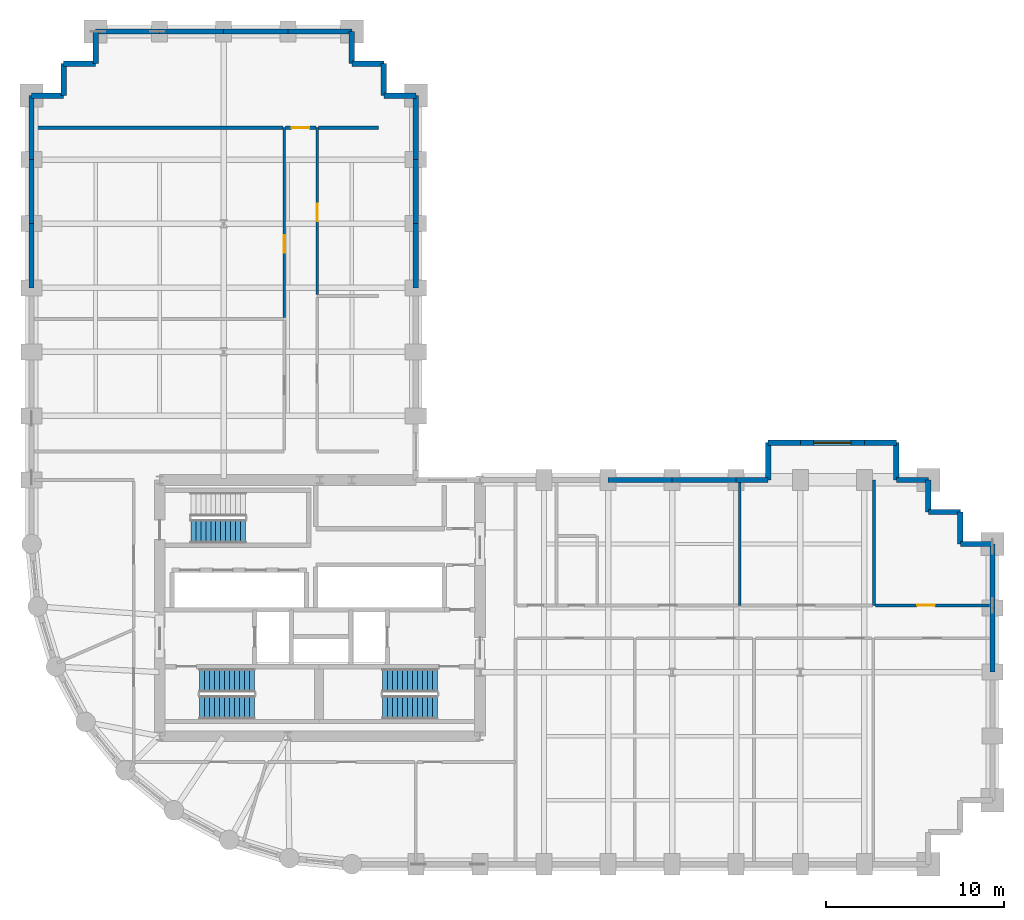
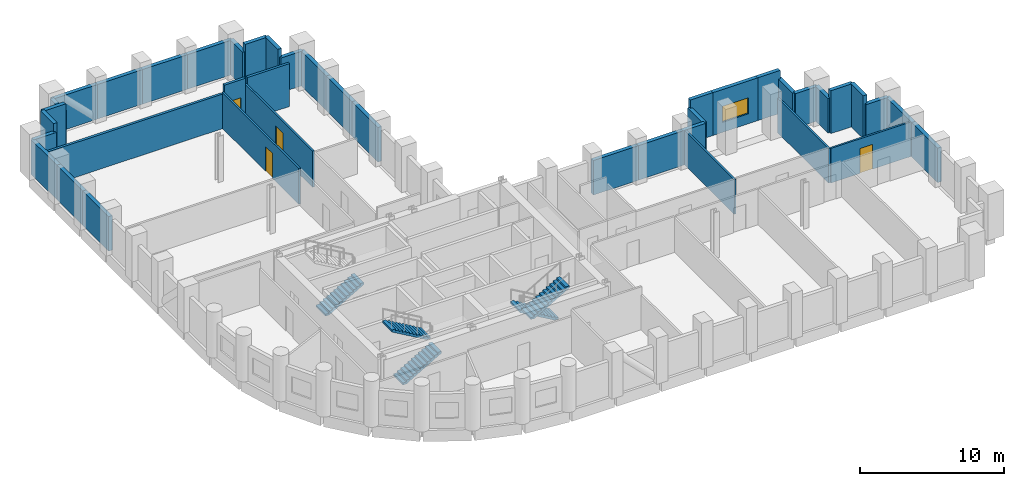
# One storey, part 6 of 8: 41 walls, 5 stair flights, 4 doors, 1 window, 5 openings, 3 elements without a shape of their own.
"""IFC4 building model written with IfcOpenShell, lengths in metres."""

from ifc_helpers import new_model, si_unit, direction, frame, frame_2d, origin, place, context, subcontext, project, spatial, polyline, rectangle, outline, extrude, material, layer, layer_set, type_object, element, fill, aggregate, save


model = new_model("IFC4")

# Units and contexts
model_context = context("Model", 3, precision=1e-05, world=origin(), true_north=direction((0.0, 1.0)))
body_context = subcontext(model_context, "Body", "Model", "MODEL_VIEW")
ifc_project = project(units=[si_unit("LENGTHUNIT", "METRE"), si_unit("AREAUNIT", "SQUARE_METRE"), si_unit("VOLUMEUNIT", "CUBIC_METRE"), si_unit("PLANEANGLEUNIT", "RADIAN"), si_unit("MASSUNIT", "GRAM", prefix="KILO")], contexts=[model_context])

# Site, building, storey
site_placement = place(None, origin())
site = spatial("IfcSite", under=ifc_project, at=site_placement, CompositionType="ELEMENT")
building_placement = place(site_placement, origin())
building = spatial("IfcBuilding", under=site, at=building_placement, Name="Solnavia Interchange Tower", CompositionType="ELEMENT")
storey_placement = place(building_placement, frame((0.0, 0.0, 35.699951171875)))
storey = spatial("IfcBuildingStorey", under=building, at=storey_placement, Name="L08", CompositionType="ELEMENT", Elevation=35.699951171875)

# Walls
ifc_material_1 = material(Name="Gypsum Acoustic Twin-Stud & Mineral Wool", Category="gypsum")
ifc_layer_1 = layer(ifc_material_1, 0.199951171875)
ifc_layer_set_1 = layer_set([ifc_layer_1], Name="Gypsum Acoustic Twin-Stud & Mineral Wool")
wall_type_1 = type_object("IfcWallType", Name="Wall-ApartmentParty-200", PredefinedType="PARTITIONING", material=ifc_layer_set_1)
wall_1_placement = place(storey_placement, frame((7.35400390625, 45.0, 0.0), z_axis=(0.0, 0.0, 1.0), x_axis=(1.0, 0.0, 0.0)))
element("IfcWall", 1, at=wall_1_placement, inside=storey, type_object=wall_type_1, Name="PTW-L08-38 Interior partition wall", PredefinedType="PARTITIONING", context=body_context, shape_type="SweptSolid", body=[
    extrude(rectangle(XDim=13.967041015625, YDim=0.199951171875, at=frame_2d((6.9833984375, 0.0))), origin(), (0.0, 0.0, 1.0), 2.929931640625),
])
wall_2_placement = place(storey_placement, frame((23.3291015625, 45.0, 0.0), z_axis=(0.0, 0.0, 1.0), x_axis=(1.0, 0.0, 0.0)))
element("IfcWall", 2, at=wall_2_placement, inside=storey, type_object=wall_type_1, Name="PTW-L08-39 Interior partition wall", PredefinedType="PARTITIONING", context=body_context, shape_type="SweptSolid", body=[
    extrude(rectangle(XDim=3.370849609375, YDim=0.199951171875, at=frame_2d((1.685546875, 0.0))), origin(), (0.0, 0.0, 1.0), 3.635009765625),
])

# Wall, opening, door
wall_3_placement = place(storey_placement, frame((21.47900390625, 45.0, 0.0), z_axis=(0.0, 0.0, 1.0), x_axis=(1.0, 0.0, 0.0)))
wall_3 = element("IfcWall", 3, at=wall_3_placement, inside=storey, type_object=wall_type_1, Name="PTW-L08-40 Interior partition wall", PredefinedType="PARTITIONING", context=body_context, shape_type="SweptSolid", body=[
    extrude(rectangle(XDim=1.69189453125, YDim=0.199951171875, at=frame_2d((0.845947265625, 0.0))), origin(), (0.0, 0.0, 1.0), 3.635009765625),
])
opening_1_placement = place(wall_3_placement, frame((0.339111328125, 0.0, 0.0)))
opening_1 = element("IfcOpeningElement", 4, at=opening_1_placement, cuts=wall_3, Name="Opening DR-06", PredefinedType="OPENING", context=body_context, shape_type="SweptSolid", body=[
    extrude(rectangle(XDim=1.0, YDim=2.10009765625, at=frame_2d((0.5, 1.050048828125))), frame((0.0, 0.10986328125, 0.0), z_axis=(0.0, -1.0, 0.0), x_axis=(1.0, 0.0, 0.0)), (0.0, 0.0, 1.0), 0.219970703125),
])
ifc_material_2 = material(Name="Engineered Timber Acoustic Fire Door", Category="wood")
door_type_1 = type_object("IfcDoorType", Name="Door-FlatEntry-1000x2100", OperationType="SINGLE_SWING_LEFT", PredefinedType="DOOR", material=ifc_material_2)
door_1_placement = place(opening_1_placement, origin())
door_1 = element("IfcDoor", 5, at=door_1_placement, inside=storey, type_object=door_type_1, Name="DR-L08-19 Interior room door", OperationType="SINGLE_SWING_LEFT", OverallHeight=2.10009765625, OverallWidth=1.0, PredefinedType="DOOR", context=body_context, shape_type="SweptSolid", body=[
    extrude(rectangle(XDim=1.0, YDim=2.10009765625, at=frame_2d((0.5, 1.050048828125))), frame((0.0, 0.02490234375, 0.0), z_axis=(0.0, -1.0, 0.0), x_axis=(1.0, 0.0, 0.0)), (0.0, 0.0, 1.0), 0.050048828125),
])
fill(opening_1, door_1)

# Walls
ifc_material_3 = material(Name="Concrete C40/50", Category="concrete")
ifc_layer_2 = layer(ifc_material_3, 0.300048828125)
ifc_layer_set_2 = layer_set([ifc_layer_2], Name="Concrete C40/50")
wall_type_2 = type_object("IfcWallType", Name="Wall-ExtSpandrel-300", PredefinedType="STANDARD", material=ifc_layer_set_2)
for number, where, z_axis, x_axis, name in (
    (6, (61.199951171875, 18.0, 0.0), (0.0, 0.0, 1.0), (0.0, -1.0, 0.0), "EXW-L08-16 Exterior precast spandrel wall"),
    (7, (61.199951171875, 21.60009765625, 0.0), (0.0, 0.0, 1.0), (0.0, -1.0, 0.0), "EXW-L08-17 Exterior precast spandrel wall"),
):
    element("IfcWall", number, at=place(storey_placement, frame(where, z_axis=z_axis, x_axis=x_axis)), inside=storey, type_object=wall_type_2, Name=name, PredefinedType="STANDARD", context=body_context, shape_type="SweptSolid", body=[
        extrude(rectangle(XDim=3.60009765625, YDim=0.300048828125, at=frame_2d((1.800048828125, 0.0))), origin(), (0.0, 0.0, 1.0), 2.929931640625),
    ])
wall_4_placement = place(storey_placement, frame((61.199951171875, 21.60009765625, 0.0), z_axis=(0.0, 0.0, 1.0), x_axis=(-1.0, 0.0, 0.0)))
element("IfcWall", 8, at=wall_4_placement, inside=storey, type_object=wall_type_2, Name="EXW-L08-18 Exterior precast spandrel wall", PredefinedType="STANDARD", context=body_context, shape_type="SweptSolid", body=[
    extrude(rectangle(XDim=1.800048828125, YDim=0.300048828125, at=frame_2d((0.89990234375, 0.0))), origin(), (0.0, 0.0, 1.0), 2.929931640625),
])
for number, where, z_axis, x_axis, name in (
    (9, (59.39990234375, 23.39990234375, 0.0), (0.0, 0.0, 1.0), (0.0, -1.0, 0.0), "EXW-L08-19 Exterior precast spandrel wall"),
    (10, (57.60009765625, 23.39990234375, 0.0), (0.0, 0.0, 1.0), (1.0, 0.0, 0.0), "EXW-L08-20 Exterior precast spandrel wall"),
):
    element("IfcWall", number, at=place(storey_placement, frame(where, z_axis=z_axis, x_axis=x_axis)), inside=storey, type_object=wall_type_2, Name=name, PredefinedType="STANDARD", context=body_context, shape_type="SweptSolid", body=[
        extrude(rectangle(XDim=1.7998046875, YDim=0.300048828125, at=frame_2d((0.89990234375, 0.0))), origin(), (0.0, 0.0, 1.0), 3.635009765625),
    ])
for number, where, z_axis, x_axis, name in (
    (11, (57.60009765625, 25.199951171875, 0.0), (0.0, 0.0, 1.0), (0.0, -1.0, 0.0), "EXW-L08-21 Exterior precast spandrel wall"),
    (12, (55.800048828125, 25.199951171875, 0.0), (0.0, 0.0, 1.0), (1.0, 0.0, 0.0), "EXW-L08-22 Exterior precast spandrel wall"),
):
    element("IfcWall", number, at=place(storey_placement, frame(where, z_axis=z_axis, x_axis=x_axis)), inside=storey, type_object=wall_type_2, Name=name, PredefinedType="STANDARD", context=body_context, shape_type="SweptSolid", body=[
        extrude(rectangle(XDim=1.800048828125, YDim=0.300048828125, at=frame_2d((0.89990234375, 0.0))), origin(), (0.0, 0.0, 1.0), 2.929931640625),
    ])
wall_5_placement = place(storey_placement, frame((55.800048828125, 27.300048828125, 0.0), z_axis=(0.0, 0.0, 1.0), x_axis=(0.0, -1.0, 0.0)))
element("IfcWall", 13, at=wall_5_placement, inside=storey, type_object=wall_type_2, Name="EXW-L08-23 Exterior precast spandrel wall", PredefinedType="STANDARD", context=body_context, shape_type="SweptSolid", body=[
    extrude(rectangle(XDim=2.10009765625, YDim=0.300048828125, at=frame_2d((1.050048828125, 0.0))), origin(), (0.0, 0.0, 1.0), 2.929931640625),
])
wall_6_placement = place(storey_placement, frame((54.0, 27.300048828125, 0.0), z_axis=(0.0, 0.0, 1.0), x_axis=(1.0, 0.0, 0.0)))
element("IfcWall", 14, at=wall_6_placement, inside=storey, type_object=wall_type_2, Name="EXW-L08-24 Exterior precast spandrel wall", PredefinedType="STANDARD", context=body_context, shape_type="SweptSolid", body=[
    extrude(rectangle(XDim=1.800048828125, YDim=0.300048828125, at=frame_2d((0.89990234375, 0.0))), origin(), (0.0, 0.0, 1.0), 3.635009765625),
])

# Wall, opening, window
wall_7_placement = place(storey_placement, frame((50.39990234375, 27.300048828125, 0.0), z_axis=(0.0, 0.0, 1.0), x_axis=(1.0, 0.0, 0.0)))
wall_7 = element("IfcWall", 15, at=wall_7_placement, inside=storey, type_object=wall_type_2, Name="EXW-L08-25 Exterior precast spandrel wall", PredefinedType="STANDARD", context=body_context, shape_type="SweptSolid", body=[
    extrude(rectangle(XDim=3.60009765625, YDim=0.300048828125, at=frame_2d((1.800048828125, 0.0))), origin(), (0.0, 0.0, 1.0), 3.635009765625),
])
opening_2_placement = place(wall_7_placement, frame((0.75, 0.0, 0.85009765625)))
opening_2 = element("IfcOpeningElement", 16, at=opening_2_placement, cuts=wall_7, Name="Opening WIN-01", PredefinedType="OPENING", context=body_context, shape_type="SweptSolid", body=[
    extrude(rectangle(XDim=2.10009765625, YDim=1.35009765625, at=frame_2d((1.050048828125, 0.675048828125))), frame((0.0, 0.16015625, 0.0), z_axis=(0.0, -1.0, 0.0), x_axis=(1.0, 0.0, 0.0)), (0.0, 0.0, 1.0), 0.320068359375),
])
ifc_material_4 = material(Name="Thermal-Break Aluminium & Low-E Glass", Category="aluminium")
window_type = type_object("IfcWindowType", Name="Window-Ribbon-2100x1350", PartitioningType="SINGLE_PANEL", PredefinedType="WINDOW", material=ifc_material_4)
window_placement = place(opening_2_placement, origin())
window = element("IfcWindow", 17, at=window_placement, inside=storey, type_object=window_type, Name="WIN-L08-25 Facade ribbon window", OverallHeight=1.35009765625, OverallWidth=2.10009765625, PartitioningType="SINGLE_PANEL", PredefinedType="WINDOW", context=body_context, shape_type="SweptSolid", body=[
    extrude(rectangle(XDim=2.10009765625, YDim=1.35009765625, at=frame_2d((1.050048828125, 0.675048828125))), frame((0.0, 0.030029296875, 0.0), z_axis=(0.0, -1.0, 0.0), x_axis=(1.0, 0.0, 0.0)), (0.0, 0.0, 1.0), 0.06005859375),
])
fill(opening_2, window)

# Walls
wall_8_placement = place(storey_placement, frame((48.60009765625, 27.300048828125, 0.0), z_axis=(0.0, 0.0, 1.0), x_axis=(1.0, 0.0, 0.0)))
element("IfcWall", 18, at=wall_8_placement, inside=storey, type_object=wall_type_2, Name="EXW-L08-26 Exterior precast spandrel wall", PredefinedType="STANDARD", context=body_context, shape_type="SweptSolid", body=[
    extrude(rectangle(XDim=1.7998046875, YDim=0.300048828125, at=frame_2d((0.89990234375, 0.0))), origin(), (0.0, 0.0, 1.0), 3.635009765625),
])
wall_9_placement = place(storey_placement, frame((48.60009765625, 27.300048828125, 0.0), z_axis=(0.0, 0.0, 1.0), x_axis=(0.0, -1.0, 0.0)))
element("IfcWall", 19, at=wall_9_placement, inside=storey, type_object=wall_type_2, Name="EXW-L08-27 Exterior precast spandrel wall", PredefinedType="STANDARD", context=body_context, shape_type="SweptSolid", body=[
    extrude(rectangle(XDim=2.10009765625, YDim=0.300048828125, at=frame_2d((1.050048828125, 0.0))), origin(), (0.0, 0.0, 1.0), 2.929931640625),
])
wall_10_placement = place(storey_placement, frame((46.800048828125, 25.199951171875, 0.0), z_axis=(0.0, 0.0, 1.0), x_axis=(1.0, 0.0, 0.0)))
element("IfcWall", 20, at=wall_10_placement, inside=storey, type_object=wall_type_2, Name="EXW-L08-28 Exterior precast spandrel wall", PredefinedType="STANDARD", context=body_context, shape_type="SweptSolid", body=[
    extrude(rectangle(XDim=1.800048828125, YDim=0.300048828125, at=frame_2d((0.89990234375, 0.0))), origin(), (0.0, 0.0, 1.0), 2.929931640625),
])
wall_11_placement = place(storey_placement, frame((43.199951171875, 25.199951171875, 0.0), z_axis=(0.0, 0.0, 1.0), x_axis=(1.0, 0.0, 0.0)))
element("IfcWall", 21, at=wall_11_placement, inside=storey, type_object=wall_type_2, Name="EXW-L08-29 Exterior precast spandrel wall", PredefinedType="STANDARD", context=body_context, shape_type="SweptSolid", body=[
    extrude(rectangle(XDim=3.60009765625, YDim=0.300048828125, at=frame_2d((1.800048828125, 0.0))), origin(), (0.0, 0.0, 1.0), 2.929931640625),
])
wall_12_placement = place(storey_placement, frame((39.60009765625, 25.199951171875, 0.0), z_axis=(0.0, 0.0, 1.0), x_axis=(1.0, 0.0, 0.0)))
element("IfcWall", 22, at=wall_12_placement, inside=storey, type_object=wall_type_2, Name="EXW-L08-30 Exterior precast spandrel wall", PredefinedType="STANDARD", context=body_context, shape_type="SweptSolid", body=[
    extrude(rectangle(XDim=3.599853515625, YDim=0.300048828125, at=frame_2d((1.7998046875, 0.0))), origin(), (0.0, 0.0, 1.0), 2.929931640625),
])
wall_13_placement = place(storey_placement, frame((28.800048828125, 36.0, 0.0), z_axis=(0.0, 0.0, 1.0), x_axis=(0.0, 1.0, 0.0)))
element("IfcWall", 23, at=wall_13_placement, inside=storey, type_object=wall_type_2, Name="EXW-L08-37 Exterior precast spandrel wall", PredefinedType="STANDARD", context=body_context, shape_type="SweptSolid", body=[
    extrude(rectangle(XDim=3.60009765625, YDim=0.300048828125, at=frame_2d((1.800048828125, 0.0))), origin(), (0.0, 0.0, 1.0), 2.929931640625),
])
wall_14_placement = place(storey_placement, frame((28.800048828125, 39.60009765625, 0.0), z_axis=(0.0, 0.0, 1.0), x_axis=(0.0, 1.0, 0.0)))
element("IfcWall", 24, at=wall_14_placement, inside=storey, type_object=wall_type_2, Name="EXW-L08-38 Exterior precast spandrel wall", PredefinedType="STANDARD", context=body_context, shape_type="SweptSolid", body=[
    extrude(rectangle(XDim=3.599853515625, YDim=0.300048828125, at=frame_2d((1.7998046875, 0.0))), origin(), (0.0, 0.0, 1.0), 2.929931640625),
])
wall_15_placement = place(storey_placement, frame((28.800048828125, 43.199951171875, 0.0), z_axis=(0.0, 0.0, 1.0), x_axis=(0.0, 1.0, 0.0)))
element("IfcWall", 25, at=wall_15_placement, inside=storey, type_object=wall_type_2, Name="EXW-L08-39 Exterior precast spandrel wall", PredefinedType="STANDARD", context=body_context, shape_type="SweptSolid", body=[
    extrude(rectangle(XDim=3.60009765625, YDim=0.300048828125, at=frame_2d((1.800048828125, 0.0))), origin(), (0.0, 0.0, 1.0), 2.929931640625),
])
wall_16_placement = place(storey_placement, frame((27.0, 46.800048828125, 0.0), z_axis=(0.0, 0.0, 1.0), x_axis=(1.0, 0.0, 0.0)))
element("IfcWall", 26, at=wall_16_placement, inside=storey, type_object=wall_type_2, Name="EXW-L08-40 Exterior precast spandrel wall", PredefinedType="STANDARD", context=body_context, shape_type="SweptSolid", body=[
    extrude(rectangle(XDim=1.800048828125, YDim=0.300048828125, at=frame_2d((0.89990234375, 0.0))), origin(), (0.0, 0.0, 1.0), 2.929931640625),
])
for number, where, z_axis, x_axis, name in (
    (27, (27.0, 46.800048828125, 0.0), (0.0, 0.0, 1.0), (0.0, 1.0, 0.0), "EXW-L08-41 Exterior precast spandrel wall"),
    (28, (25.199951171875, 48.60009765625, 0.0), (0.0, 0.0, 1.0), (1.0, 0.0, 0.0), "EXW-L08-42 Exterior precast spandrel wall"),
):
    element("IfcWall", number, at=place(storey_placement, frame(where, z_axis=z_axis, x_axis=x_axis)), inside=storey, type_object=wall_type_2, Name=name, PredefinedType="STANDARD", context=body_context, shape_type="SweptSolid", body=[
        extrude(rectangle(XDim=1.800048828125, YDim=0.300048828125, at=frame_2d((0.89990234375, 0.0))), origin(), (0.0, 0.0, 1.0), 3.635009765625),
    ])
wall_17_placement = place(storey_placement, frame((25.199951171875, 48.60009765625, 0.0), z_axis=(0.0, 0.0, 1.0), x_axis=(0.0, 1.0, 0.0)))
element("IfcWall", 29, at=wall_17_placement, inside=storey, type_object=wall_type_2, Name="EXW-L08-43 Exterior precast spandrel wall", PredefinedType="STANDARD", context=body_context, shape_type="SweptSolid", body=[
    extrude(rectangle(XDim=1.7998046875, YDim=0.300048828125, at=frame_2d((0.89990234375, 0.0))), origin(), (0.0, 0.0, 1.0), 2.929931640625),
])
wall_18_placement = place(storey_placement, frame((21.60009765625, 50.39990234375, 0.0), z_axis=(0.0, 0.0, 1.0), x_axis=(1.0, 0.0, 0.0)))
element("IfcWall", 30, at=wall_18_placement, inside=storey, type_object=wall_type_2, Name="EXW-L08-44 Exterior precast spandrel wall", PredefinedType="STANDARD", context=body_context, shape_type="SweptSolid", body=[
    extrude(rectangle(XDim=3.599853515625, YDim=0.300048828125, at=frame_2d((1.7998046875, 0.0))), origin(), (0.0, 0.0, 1.0), 2.929931640625),
])
for number, where, z_axis, x_axis, name in (
    (31, (18.0, 50.39990234375, 0.0), (0.0, 0.0, 1.0), (1.0, 0.0, 0.0), "EXW-L08-45 Exterior precast spandrel wall"),
    (32, (14.39990234375, 50.39990234375, 0.0), (0.0, 0.0, 1.0), (1.0, 0.0, 0.0), "EXW-L08-46 Exterior precast spandrel wall"),
):
    element("IfcWall", number, at=place(storey_placement, frame(where, z_axis=z_axis, x_axis=x_axis)), inside=storey, type_object=wall_type_2, Name=name, PredefinedType="STANDARD", context=body_context, shape_type="SweptSolid", body=[
        extrude(rectangle(XDim=3.60009765625, YDim=0.300048828125, at=frame_2d((1.800048828125, 0.0))), origin(), (0.0, 0.0, 1.0), 2.929931640625),
    ])
wall_19_placement = place(storey_placement, frame((10.800048828125, 50.39990234375, 0.0), z_axis=(0.0, 0.0, 1.0), x_axis=(1.0, 0.0, 0.0)))
element("IfcWall", 33, at=wall_19_placement, inside=storey, type_object=wall_type_2, Name="EXW-L08-47 Exterior precast spandrel wall", PredefinedType="STANDARD", context=body_context, shape_type="SweptSolid", body=[
    extrude(rectangle(XDim=3.599853515625, YDim=0.300048828125, at=frame_2d((1.7998046875, 0.0))), origin(), (0.0, 0.0, 1.0), 2.929931640625),
])
wall_20_placement = place(storey_placement, frame((10.800048828125, 48.60009765625, 0.0), z_axis=(0.0, 0.0, 1.0), x_axis=(0.0, 1.0, 0.0)))
element("IfcWall", 34, at=wall_20_placement, inside=storey, type_object=wall_type_2, Name="EXW-L08-48 Exterior precast spandrel wall", PredefinedType="STANDARD", context=body_context, shape_type="SweptSolid", body=[
    extrude(rectangle(XDim=1.7998046875, YDim=0.300048828125, at=frame_2d((0.89990234375, 0.0))), origin(), (0.0, 0.0, 1.0), 2.929931640625),
])
for number, where, z_axis, x_axis, name in (
    (35, (9.0, 48.60009765625, 0.0), (0.0, 0.0, 1.0), (1.0, 0.0, 0.0), "EXW-L08-49 Exterior precast spandrel wall"),
    (36, (9.0, 46.800048828125, 0.0), (0.0, 0.0, 1.0), (0.0, 1.0, 0.0), "EXW-L08-50 Exterior precast spandrel wall"),
):
    element("IfcWall", number, at=place(storey_placement, frame(where, z_axis=z_axis, x_axis=x_axis)), inside=storey, type_object=wall_type_2, Name=name, PredefinedType="STANDARD", context=body_context, shape_type="SweptSolid", body=[
        extrude(rectangle(XDim=1.800048828125, YDim=0.300048828125, at=frame_2d((0.89990234375, 0.0))), origin(), (0.0, 0.0, 1.0), 3.635009765625),
    ])
wall_21_placement = place(storey_placement, frame((7.199951171875, 46.800048828125, 0.0), z_axis=(0.0, 0.0, 1.0), x_axis=(1.0, 0.0, 0.0)))
element("IfcWall", 37, at=wall_21_placement, inside=storey, type_object=wall_type_2, Name="EXW-L08-51 Exterior precast spandrel wall", PredefinedType="STANDARD", context=body_context, shape_type="SweptSolid", body=[
    extrude(rectangle(XDim=1.800048828125, YDim=0.300048828125, at=frame_2d((0.89990234375, 0.0))), origin(), (0.0, 0.0, 1.0), 2.929931640625),
])
wall_22_placement = place(storey_placement, frame((7.199951171875, 43.199951171875, 0.0), z_axis=(0.0, 0.0, 1.0), x_axis=(0.0, 1.0, 0.0)))
element("IfcWall", 38, at=wall_22_placement, inside=storey, type_object=wall_type_2, Name="EXW-L08-52 Exterior precast spandrel wall", PredefinedType="STANDARD", context=body_context, shape_type="SweptSolid", body=[
    extrude(rectangle(XDim=3.60009765625, YDim=0.300048828125, at=frame_2d((1.800048828125, 0.0))), origin(), (0.0, 0.0, 1.0), 2.929931640625),
])
wall_23_placement = place(storey_placement, frame((7.199951171875, 39.60009765625, 0.0), z_axis=(0.0, 0.0, 1.0), x_axis=(0.0, 1.0, 0.0)))
element("IfcWall", 39, at=wall_23_placement, inside=storey, type_object=wall_type_2, Name="EXW-L08-53 Exterior precast spandrel wall", PredefinedType="STANDARD", context=body_context, shape_type="SweptSolid", body=[
    extrude(rectangle(XDim=3.599853515625, YDim=0.300048828125, at=frame_2d((1.7998046875, 0.0))), origin(), (0.0, 0.0, 1.0), 2.929931640625),
])
wall_24_placement = place(storey_placement, frame((7.199951171875, 36.0, 0.0), z_axis=(0.0, 0.0, 1.0), x_axis=(0.0, 1.0, 0.0)))
element("IfcWall", 40, at=wall_24_placement, inside=storey, type_object=wall_type_2, Name="EXW-L08-54 Exterior precast spandrel wall", PredefinedType="STANDARD", context=body_context, shape_type="SweptSolid", body=[
    extrude(rectangle(XDim=3.60009765625, YDim=0.300048828125, at=frame_2d((1.800048828125, 0.0))), origin(), (0.0, 0.0, 1.0), 2.929931640625),
])
ifc_material_5 = material(Name="Gypsum Plasterboard & Steel Stud", Category="steel")
ifc_layer_3 = layer(ifc_material_5, 0.14990234375)
ifc_layer_set_3 = layer_set([ifc_layer_3], Name="Gypsum Plasterboard & Steel Stud")
wall_type_3 = type_object("IfcWallType", Name="Wall-Partition-150", PredefinedType="PARTITIONING", material=ifc_layer_set_3)
wall_25_placement = place(storey_placement, frame((46.989990234375, 18.14990234375, 0.0), z_axis=(0.0, 0.0, 1.0), x_axis=(0.0, 1.0, 0.0)))
element("IfcWall", 41, at=wall_25_placement, inside=storey, type_object=wall_type_3, Name="PTW-L08-25 Interior partition wall", PredefinedType="PARTITIONING", context=body_context, shape_type="SweptSolid", body=[
    extrude(rectangle(XDim=6.89599609375, YDim=0.14990234375, at=frame_2d((3.447998046875, 0.0))), origin(), (0.0, 0.0, 1.0), 2.929931640625),
])
wall_26_placement = place(storey_placement, frame((54.5400390625, 18.14990234375, 0.0), z_axis=(0.0, 0.0, 1.0), x_axis=(0.0, 1.0, 0.0)))
element("IfcWall", 42, at=wall_26_placement, inside=storey, type_object=wall_type_3, Name="PTW-L08-27 Interior partition wall", PredefinedType="PARTITIONING", context=body_context, shape_type="SweptSolid", body=[
    extrude(rectangle(XDim=7.050048828125, YDim=0.14990234375, at=frame_2d((3.52490234375, 0.0))), origin(), (0.0, 0.0, 1.0), 2.929931640625),
])

# Wall, opening, door
wall_27_placement = place(storey_placement, frame((54.618896484375, 18.14990234375, 0.0), z_axis=(0.0, 0.0, 1.0), x_axis=(1.0, 0.0, 0.0)))
wall_27 = element("IfcWall", 43, at=wall_27_placement, inside=storey, type_object=wall_type_3, Name="PTW-L08-29 Interior partition wall", PredefinedType="PARTITIONING", context=body_context, shape_type="SweptSolid", body=[
    extrude(rectangle(XDim=6.427001953125, YDim=0.14990234375, at=frame_2d((3.21337890625, 0.0))), origin(), (0.0, 0.0, 1.0), 2.929931640625),
])
opening_3_placement = place(wall_27_placement, frame((2.35302734375, 0.0, 0.0)))
opening_3 = element("IfcOpeningElement", 44, at=opening_3_placement, cuts=wall_27, Name="Opening DR-07", PredefinedType="OPENING", context=body_context, shape_type="SweptSolid", body=[
    extrude(rectangle(XDim=1.0, YDim=2.10009765625, at=frame_2d((0.5, 1.050048828125))), frame((0.0, 0.0849609375, 0.0), z_axis=(0.0, -1.0, 0.0), x_axis=(1.0, 0.0, 0.0)), (0.0, 0.0, 1.0), 0.169921875),
])
ifc_material_6 = material(Name="Timber & Acoustic Glazed Office Door", Category="wood")
door_type_2 = type_object("IfcDoorType", Name="Door-Office-1000x2100", OperationType="SINGLE_SWING_RIGHT", PredefinedType="DOOR", material=ifc_material_6)
door_2_placement = place(opening_3_placement, origin())
door_2 = element("IfcDoor", 45, at=door_2_placement, inside=storey, type_object=door_type_2, Name="DR-L08-14 Interior room door", OperationType="SINGLE_SWING_RIGHT", OverallHeight=2.10009765625, OverallWidth=1.0, PredefinedType="DOOR", context=body_context, shape_type="SweptSolid", body=[
    extrude(rectangle(XDim=1.0, YDim=2.10009765625, at=frame_2d((0.5, 1.050048828125))), frame((0.0, 0.02490234375, 0.0), z_axis=(0.0, -1.0, 0.0), x_axis=(1.0, 0.0, 0.0)), (0.0, 0.0, 1.0), 0.050048828125),
])
fill(opening_3, door_2)

wall_28_placement = place(storey_placement, frame((21.39990234375, 34.3291015625, 0.0), z_axis=(0.0, 0.0, 1.0), x_axis=(0.0, 1.0, 0.0)))
wall_28 = element("IfcWall", 46, at=wall_28_placement, inside=storey, type_object=wall_type_3, Name="PTW-L08-33 Interior partition wall", PredefinedType="PARTITIONING", context=body_context, shape_type="SweptSolid", body=[
    extrude(rectangle(XDim=10.6708984375, YDim=0.14990234375, at=frame_2d((5.33544921875, 0.0))), origin(), (0.0, 0.0, 1.0), 3.030029296875),
])
opening_4_placement = place(wall_28_placement, frame((3.636962890625, 0.0, 0.0)))
opening_4 = element("IfcOpeningElement", 47, at=opening_4_placement, cuts=wall_28, Name="Opening DR-07", PredefinedType="OPENING", context=body_context, shape_type="SweptSolid", body=[
    extrude(rectangle(XDim=1.0, YDim=2.10009765625, at=frame_2d((0.5, 1.050048828125))), frame((0.0, 0.0849609375, 0.0), z_axis=(0.0, -1.0, 0.0), x_axis=(1.0, 0.0, 0.0)), (0.0, 0.0, 1.0), 0.169921875),
])
door_3_placement = place(opening_4_placement, origin())
door_3 = element("IfcDoor", 48, at=door_3_placement, inside=storey, type_object=door_type_2, Name="DR-L08-16 Interior room door", OperationType="SINGLE_SWING_RIGHT", OverallHeight=2.10009765625, OverallWidth=1.0, PredefinedType="DOOR", context=body_context, shape_type="SweptSolid", body=[
    extrude(rectangle(XDim=1.0, YDim=2.10009765625, at=frame_2d((0.5, 1.050048828125))), frame((0.0, 0.02490234375, 0.0), z_axis=(0.0, -1.0, 0.0), x_axis=(1.0, 0.0, 0.0)), (0.0, 0.0, 1.0), 0.050048828125),
])
fill(opening_4, door_3)

wall_29_placement = place(storey_placement, frame((23.25, 35.618896484375, 0.0), z_axis=(0.0, 0.0, 1.0), x_axis=(0.0, 1.0, 0.0)))
wall_29 = element("IfcWall", 49, at=wall_29_placement, inside=storey, type_object=wall_type_3, Name="PTW-L08-37 Interior partition wall", PredefinedType="PARTITIONING", context=body_context, shape_type="SweptSolid", body=[
    extrude(rectangle(XDim=9.381103515625, YDim=0.14990234375, at=frame_2d((4.6904296875, 0.0))), origin(), (0.0, 0.0, 1.0), 3.080078125),
])
opening_5_placement = place(wall_29_placement, frame((4.111083984375, 0.0, 0.0)))
opening_5 = element("IfcOpeningElement", 50, at=opening_5_placement, cuts=wall_29, Name="Opening DR-07", PredefinedType="OPENING", context=body_context, shape_type="SweptSolid", body=[
    extrude(rectangle(XDim=1.0, YDim=2.10009765625, at=frame_2d((0.5, 1.050048828125))), frame((0.0, 0.0849609375, 0.0), z_axis=(0.0, -1.0, 0.0), x_axis=(1.0, 0.0, 0.0)), (0.0, 0.0, 1.0), 0.169921875),
])
door_4_placement = place(opening_5_placement, origin())
door_4 = element("IfcDoor", 51, at=door_4_placement, inside=storey, type_object=door_type_2, Name="DR-L08-18 Interior room door", OperationType="SINGLE_SWING_LEFT", OverallHeight=2.10009765625, OverallWidth=1.0, PredefinedType="DOOR", context=body_context, shape_type="SweptSolid", body=[
    extrude(rectangle(XDim=1.0, YDim=2.10009765625, at=frame_2d((0.5, 1.050048828125))), frame((0.0, 0.02490234375, 0.0), z_axis=(0.0, -1.0, 0.0), x_axis=(1.0, 0.0, 0.0)), (0.0, 0.0, 1.0), 0.050048828125),
])
fill(opening_5, door_4)

# Stair, stair flights
stair_type = type_object("IfcStairType", Name="Stair-Dogleg-RC", PredefinedType="HALF_TURN_STAIR", material=ifc_material_3)
stair_1_placement = place(storey_placement, origin())
stair_1 = element("IfcStair", 52, at=stair_1_placement, inside=storey, type_object=stair_type, Name="L08 Core exit stair 1", PredefinedType="HALF_TURN_STAIR")
stair_flight_type = type_object("IfcStairFlightType", Name="StairFlight-RC-150", PredefinedType="STRAIGHT", material=ifc_material_3)
stair_flight_1_placement = place(storey_placement, frame((16.64990234375, 12.409912109375, 0.0), z_axis=(0.0, 0.0, 1.0), x_axis=(1.0, 0.0, 0.0)))
stair_flight_1 = element("IfcStairFlight", 53, at=stair_flight_1_placement, type_object=stair_flight_type, Name="ST-1 flight 1", NumberOfRisers=12, NumberOfTreads=11, PredefinedType="STRAIGHT", RiserHeight=0.1625, TreadLength=0.28, context=body_context, shape_type="SweptSolid", body=[
    extrude(outline(polyline([(0.0, 0.0), (0.0, 0.16259765625), (0.280029296875, 0.16259765625), (0.280029296875, 0.324951171875), (0.56005859375, 0.324951171875), (0.56005859375, 0.487548828125), (0.840087890625, 0.487548828125), (0.840087890625, 0.64990234375), (1.1201171875, 0.64990234375), (1.1201171875, 0.8125), (1.39990234375, 0.8125), (1.39990234375, 0.97509765625), (1.679931640625, 0.97509765625), (1.679931640625, 1.137451171875), (1.9599609375, 1.137451171875), (1.9599609375, 1.300048828125), (2.239990234375, 1.300048828125), (2.239990234375, 1.46240234375), (2.52001953125, 1.46240234375), (2.52001953125, 1.625), (2.800048828125, 1.625), (2.800048828125, 1.78759765625), (3.080078125, 1.78759765625), (3.080078125, 1.949951171875), (3.080078125, 1.6142578125), (0.298583984375, 0.0), (0.0, 0.0)])), frame((0.0, 0.66015625, 0.0), z_axis=(0.0, -1.0, 0.0), x_axis=(1.0, 0.0, 0.0)), (0.0, 0.0, 1.0), 1.320068359375),
])
stair_flight_2_placement = place(storey_placement, frame((19.72998046875, 13.929931640625, 1.949951171875), z_axis=(0.0, 0.0, 1.0), x_axis=(-1.0, 0.0, 0.0)))
stair_flight_2 = element("IfcStairFlight", 54, at=stair_flight_2_placement, type_object=stair_flight_type, Name="ST-1 flight 2", NumberOfRisers=12, NumberOfTreads=11, PredefinedType="STRAIGHT", RiserHeight=0.1625, TreadLength=0.28, context=body_context, shape_type="SweptSolid", body=[
    extrude(outline(polyline([(0.0, 0.0), (0.0, 0.16259765625), (0.280029296875, 0.16259765625), (0.280029296875, 0.324951171875), (0.56005859375, 0.324951171875), (0.56005859375, 0.487548828125), (0.840087890625, 0.487548828125), (0.840087890625, 0.64990234375), (1.1201171875, 0.64990234375), (1.1201171875, 0.8125), (1.39990234375, 0.8125), (1.39990234375, 0.97509765625), (1.679931640625, 0.97509765625), (1.679931640625, 1.137451171875), (1.9599609375, 1.137451171875), (1.9599609375, 1.300048828125), (2.239990234375, 1.300048828125), (2.239990234375, 1.46240234375), (2.52001953125, 1.46240234375), (2.52001953125, 1.625), (2.800048828125, 1.625), (2.800048828125, 1.78759765625), (3.080078125, 1.78759765625), (3.080078125, 1.949951171875), (3.080078125, 1.6142578125), (0.298583984375, 0.0), (0.0, 0.0)])), frame((0.0, 0.66015625, 0.0), z_axis=(0.0, -1.0, 0.0), x_axis=(1.0, 0.0, 0.0)), (0.0, 0.0, 1.0), 1.320068359375),
])
aggregate(stair_1, [stair_flight_1, stair_flight_2])

stair_2_placement = place(storey_placement, origin())
stair_2 = element("IfcStair", 55, at=stair_2_placement, inside=storey, type_object=stair_type, Name="L08 Core exit stair 2", PredefinedType="HALF_TURN_STAIR")
stair_flight_3_placement = place(storey_placement, frame((30.0, 13.929931640625, 0.0), z_axis=(0.0, 0.0, 1.0), x_axis=(-1.0, 0.0, 0.0)))
stair_flight_3 = element("IfcStairFlight", 56, at=stair_flight_3_placement, type_object=stair_flight_type, Name="ST-2 flight 1", NumberOfRisers=12, NumberOfTreads=11, PredefinedType="STRAIGHT", RiserHeight=0.1625, TreadLength=0.28, context=body_context, shape_type="SweptSolid", body=[
    extrude(outline(polyline([(0.0, 0.0), (0.0, 0.16259765625), (0.280029296875, 0.16259765625), (0.280029296875, 0.324951171875), (0.56005859375, 0.324951171875), (0.56005859375, 0.487548828125), (0.840087890625, 0.487548828125), (0.840087890625, 0.64990234375), (1.1201171875, 0.64990234375), (1.1201171875, 0.8125), (1.39990234375, 0.8125), (1.39990234375, 0.97509765625), (1.679931640625, 0.97509765625), (1.679931640625, 1.137451171875), (1.9599609375, 1.137451171875), (1.9599609375, 1.300048828125), (2.239990234375, 1.300048828125), (2.239990234375, 1.46240234375), (2.52001953125, 1.46240234375), (2.52001953125, 1.625), (2.800048828125, 1.625), (2.800048828125, 1.78759765625), (3.080078125, 1.78759765625), (3.080078125, 1.949951171875), (3.080078125, 1.6142578125), (0.298583984375, 0.0), (0.0, 0.0)])), frame((0.0, 0.66015625, 0.0), z_axis=(0.0, -1.0, 0.0), x_axis=(1.0, 0.0, 0.0)), (0.0, 0.0, 1.0), 1.320068359375),
])
stair_flight_4_placement = place(storey_placement, frame((26.919921875, 12.409912109375, 1.949951171875), z_axis=(0.0, 0.0, 1.0), x_axis=(1.0, 0.0, 0.0)))
stair_flight_4 = element("IfcStairFlight", 57, at=stair_flight_4_placement, type_object=stair_flight_type, Name="ST-2 flight 2", NumberOfRisers=12, NumberOfTreads=11, PredefinedType="STRAIGHT", RiserHeight=0.1625, TreadLength=0.28, context=body_context, shape_type="SweptSolid", body=[
    extrude(outline(polyline([(0.0, 0.0), (0.0, 0.16259765625), (0.280029296875, 0.16259765625), (0.280029296875, 0.324951171875), (0.56005859375, 0.324951171875), (0.56005859375, 0.487548828125), (0.840087890625, 0.487548828125), (0.840087890625, 0.64990234375), (1.1201171875, 0.64990234375), (1.1201171875, 0.8125), (1.39990234375, 0.8125), (1.39990234375, 0.97509765625), (1.679931640625, 0.97509765625), (1.679931640625, 1.137451171875), (1.9599609375, 1.137451171875), (1.9599609375, 1.300048828125), (2.239990234375, 1.300048828125), (2.239990234375, 1.46240234375), (2.52001953125, 1.46240234375), (2.52001953125, 1.625), (2.800048828125, 1.625), (2.800048828125, 1.78759765625), (3.080078125, 1.78759765625), (3.080078125, 1.949951171875), (3.080078125, 1.6142578125), (0.298583984375, 0.0), (0.0, 0.0)])), frame((0.0, 0.66015625, 0.0), z_axis=(0.0, -1.0, 0.0), x_axis=(1.0, 0.0, 0.0)), (0.0, 0.0, 1.0), 1.320068359375),
])
aggregate(stair_2, [stair_flight_3, stair_flight_4])

# Stair, stair flight
stair_3_placement = place(storey_placement, origin())
stair_3 = element("IfcStair", 58, at=stair_3_placement, inside=storey, type_object=stair_type, Name="L08 Core exit stair 3", PredefinedType="HALF_TURN_STAIR")
stair_flight_5_placement = place(storey_placement, frame((16.14990234375, 22.31005859375, 0.0), z_axis=(0.0, 0.0, 1.0), x_axis=(1.0, 0.0, 0.0)))
stair_flight_5 = element("IfcStairFlight", 59, at=stair_flight_5_placement, type_object=stair_flight_type, Name="ST-3 flight 1", NumberOfRisers=12, NumberOfTreads=11, PredefinedType="STRAIGHT", RiserHeight=0.1625, TreadLength=0.28, context=body_context, shape_type="SweptSolid", body=[
    extrude(outline(polyline([(0.0, 0.0), (0.0, 0.16259765625), (0.280029296875, 0.16259765625), (0.280029296875, 0.324951171875), (0.56005859375, 0.324951171875), (0.56005859375, 0.487548828125), (0.840087890625, 0.487548828125), (0.840087890625, 0.64990234375), (1.1201171875, 0.64990234375), (1.1201171875, 0.8125), (1.39990234375, 0.8125), (1.39990234375, 0.97509765625), (1.679931640625, 0.97509765625), (1.679931640625, 1.137451171875), (1.9599609375, 1.137451171875), (1.9599609375, 1.300048828125), (2.239990234375, 1.300048828125), (2.239990234375, 1.46240234375), (2.52001953125, 1.46240234375), (2.52001953125, 1.625), (2.800048828125, 1.625), (2.800048828125, 1.78759765625), (3.080078125, 1.78759765625), (3.080078125, 1.949951171875), (3.080078125, 1.6142578125), (0.298583984375, 0.0), (0.0, 0.0)])), frame((0.0, 0.66015625, 0.0), z_axis=(0.0, -1.0, 0.0), x_axis=(1.0, 0.0, 0.0)), (0.0, 0.0, 1.0), 1.320068359375),
])
aggregate(stair_3, [stair_flight_5])

save(model, "model.ifc")
